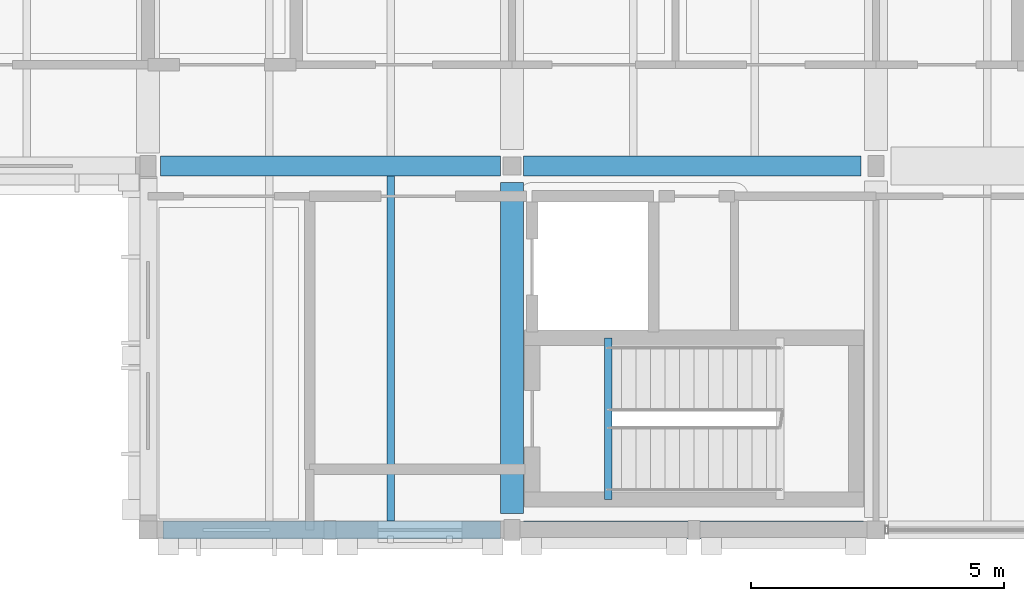
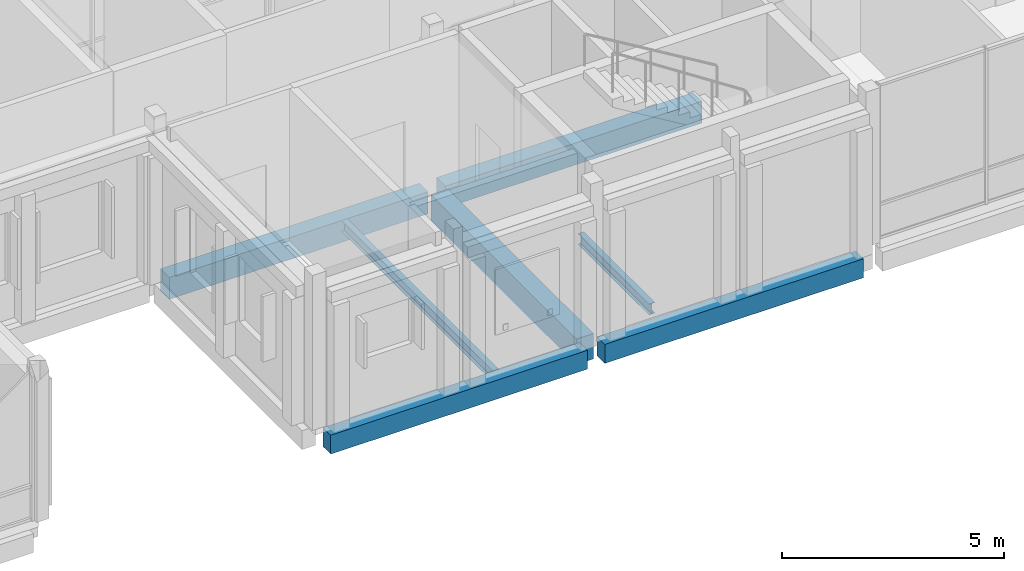
# One storey, part 32 of 146: 7 beams.
"""IFC4 building model written with IfcOpenShell, lengths in metres."""

from ifc_helpers import new_model, si_unit, direction, frame, origin, origin_2d, place, context, subcontext, project, spatial, rectangle, i_section, extrude, material, material_profile, profile_set, type_object, element, save


model = new_model("IFC4")

# Units and contexts
model_context = context("Model", 3, precision=1e-05, world=origin(), true_north=direction((0.0, 1.0)))
body_context = subcontext(model_context, "Body", "Model", "MODEL_VIEW")
ifc_project = project(units=[si_unit("LENGTHUNIT", "METRE"), si_unit("AREAUNIT", "SQUARE_METRE"), si_unit("VOLUMEUNIT", "CUBIC_METRE"), si_unit("PLANEANGLEUNIT", "RADIAN"), si_unit("MASSUNIT", "GRAM", prefix="KILO")], contexts=[model_context])

# Site, building, storey
site_placement = place(None, origin())
site = spatial("IfcSite", under=ifc_project, at=site_placement, CompositionType="ELEMENT")
building_placement = place(site_placement, origin())
building = spatial("IfcBuilding", under=site, at=building_placement, Name="Hawrajan Terrace Health Centre", CompositionType="ELEMENT")
storey_placement = place(building_placement, frame((0.0, 0.0, 4.5)))
storey = spatial("IfcBuildingStorey", under=building, at=storey_placement, Name="L01", CompositionType="ELEMENT", Elevation=4.5)

# Beams
ifc_material_1 = material(Name="Concrete C40/50", Category="concrete")
ifc_material_profile_1 = material_profile(ifc_material_1, rectangle(XDim=0.39990234375, YDim=0.60009765625, at=origin_2d()), Name="RC BM 400x600")
ifc_profile_set_1 = profile_set([ifc_material_profile_1], Name="Concrete C40/50")
beam_type_1 = type_object("IfcBeamType", Name="RCGirder_400x600", PredefinedType="BEAM", material=ifc_profile_set_1)
beam_1_placement = place(storey_placement, frame((48.050048828125, 11.39990234375, -0.60009765625), z_axis=(1.0, 0.0, 0.0), x_axis=(0.0, 1.0, 0.0)))
element("IfcBeam", 1, at=beam_1_placement, inside=storey, type_object=beam_type_1, Name="Beam BM-X-L01-W-07-Y2", PredefinedType="BEAM", context=body_context, shape_type="SweptSolid", body=[
    extrude(rectangle(XDim=0.39990234375, YDim=0.60009765625, at=origin_2d()), origin(), (0.0, 0.0, 1.0), 6.724853515625),
])
beam_2_placement = place(storey_placement, frame((55.22509765625, 11.39990234375, -0.60009765625), z_axis=(1.0, 0.0, 0.0), x_axis=(0.0, 1.0, 0.0)))
element("IfcBeam", 2, at=beam_2_placement, inside=storey, type_object=beam_type_1, Name="Beam BM-X-L01-W-08-Y2", PredefinedType="BEAM", context=body_context, shape_type="SweptSolid", body=[
    extrude(rectangle(XDim=0.39990234375, YDim=0.60009765625, at=origin_2d()), origin(), (0.0, 0.0, 1.0), 6.6748046875),
])
ifc_material_profile_2 = material_profile(ifc_material_1, rectangle(XDim=0.449951171875, YDim=0.699951171875, at=origin_2d()), Name="RC BM 450x700")
ifc_profile_set_2 = profile_set([ifc_material_profile_2], Name="Concrete C40/50")
beam_type_2 = type_object("IfcBeamType", Name="RCGirder_450x700", PredefinedType="BEAM", material=ifc_profile_set_2)
beam_3_placement = place(storey_placement, frame((55.0, 4.52490234375, -0.64990234375), z_axis=(0.0, 1.0, 0.0), x_axis=(-1.0, 0.0, 0.0)))
element("IfcBeam", 3, at=beam_3_placement, inside=storey, type_object=beam_type_2, Name="Beam BM-Y-L01-W-X08-1", PredefinedType="BEAM", context=body_context, shape_type="SweptSolid", body=[
    extrude(rectangle(XDim=0.449951171875, YDim=0.699951171875, at=origin_2d()), origin(), (0.0, 0.0, 1.0), 6.550048828125),
])
ifc_material_profile_3 = material_profile(ifc_material_1, rectangle(XDim=0.35009765625, YDim=0.52001953125, at=origin_2d()), Name="RC SP 350x520")
ifc_profile_set_3 = profile_set([ifc_material_profile_3], Name="Concrete C40/50")
beam_type_3 = type_object("IfcBeamType", Name="RCSpandrel_350x520", PredefinedType="SPANDREL", material=ifc_profile_set_3)
beam_4_placement = place(storey_placement, frame((48.10009765625, 4.199951171875, -0.56005859375), z_axis=(1.0, 0.0, 0.0), x_axis=(0.0, 1.0, 0.0)))
element("IfcBeam", 4, at=beam_4_placement, inside=storey, type_object=beam_type_3, Name="Beam BM-X-L01-W-07-Y1", PredefinedType="SPANDREL", context=body_context, shape_type="SweptSolid", body=[
    extrude(rectangle(XDim=0.35009765625, YDim=0.52001953125, at=origin_2d()), origin(), (0.0, 0.0, 1.0), 6.6748046875),
])
beam_5_placement = place(storey_placement, frame((55.22509765625, 4.199951171875, -0.56005859375), z_axis=(1.0, 0.0, 0.0), x_axis=(0.0, 1.0, 0.0)))
element("IfcBeam", 5, at=beam_5_placement, inside=storey, type_object=beam_type_3, Name="Beam BM-X-L01-W-08-Y1", PredefinedType="SPANDREL", context=body_context, shape_type="SweptSolid", body=[
    extrude(rectangle(XDim=0.35009765625, YDim=0.52001953125, at=origin_2d()), origin(), (0.0, 0.0, 1.0), 6.724853515625),
])
ifc_material_2 = material(Name="Steel S355", Category="steel")
ifc_material_profile_4 = material_profile(ifc_material_2, i_section(OverallWidth=0.14990234375, OverallDepth=0.300048828125, WebThickness=0.007080078125, FlangeThickness=0.0107421875, FilletRadius=0.014892578125, at=origin_2d()), Name="IPE 300")
ifc_profile_set_4 = profile_set([ifc_material_profile_4], Name="Steel S355")
beam_type_4 = type_object("IfcBeamType", Name="SteelBeam_IPE300", PredefinedType="JOIST", material=ifc_profile_set_4)
beam_6_placement = place(storey_placement, frame((52.60009765625, 4.375, -0.449951171875), z_axis=(0.0, 1.0, 0.0), x_axis=(-1.0, 0.0, 0.0)))
element("IfcBeam", 6, at=beam_6_placement, inside=storey, type_object=beam_type_4, Name="Secondary joist JST-L01-W-07-1-2", PredefinedType="JOIST", context=body_context, shape_type="SweptSolid", body=[
    extrude(i_section(OverallWidth=0.14990234375, OverallDepth=0.300048828125, WebThickness=0.007080078125, FlangeThickness=0.0107421875, FilletRadius=0.014892578125, at=origin_2d()), origin(), (0.0, 0.0, 1.0), 6.824951171875),
])
beam_7_placement = place(storey_placement, frame((56.89990234375, 4.800048828125, -0.3701171875), z_axis=(0.0, 1.0, 0.0), x_axis=(-1.0, 0.0, 0.0)))
element("IfcBeam", 7, at=beam_7_placement, inside=storey, type_object=beam_type_4, Name="Stair landing trimmer ST-4-L01-B0", PredefinedType="JOIST", context=body_context, shape_type="SweptSolid", body=[
    extrude(i_section(OverallWidth=0.14990234375, OverallDepth=0.300048828125, WebThickness=0.007080078125, FlangeThickness=0.0107421875, FilletRadius=0.014892578125, at=origin_2d()), origin(), (0.0, 0.0, 1.0), 3.199951171875),
])

save(model, "model.ifc")
